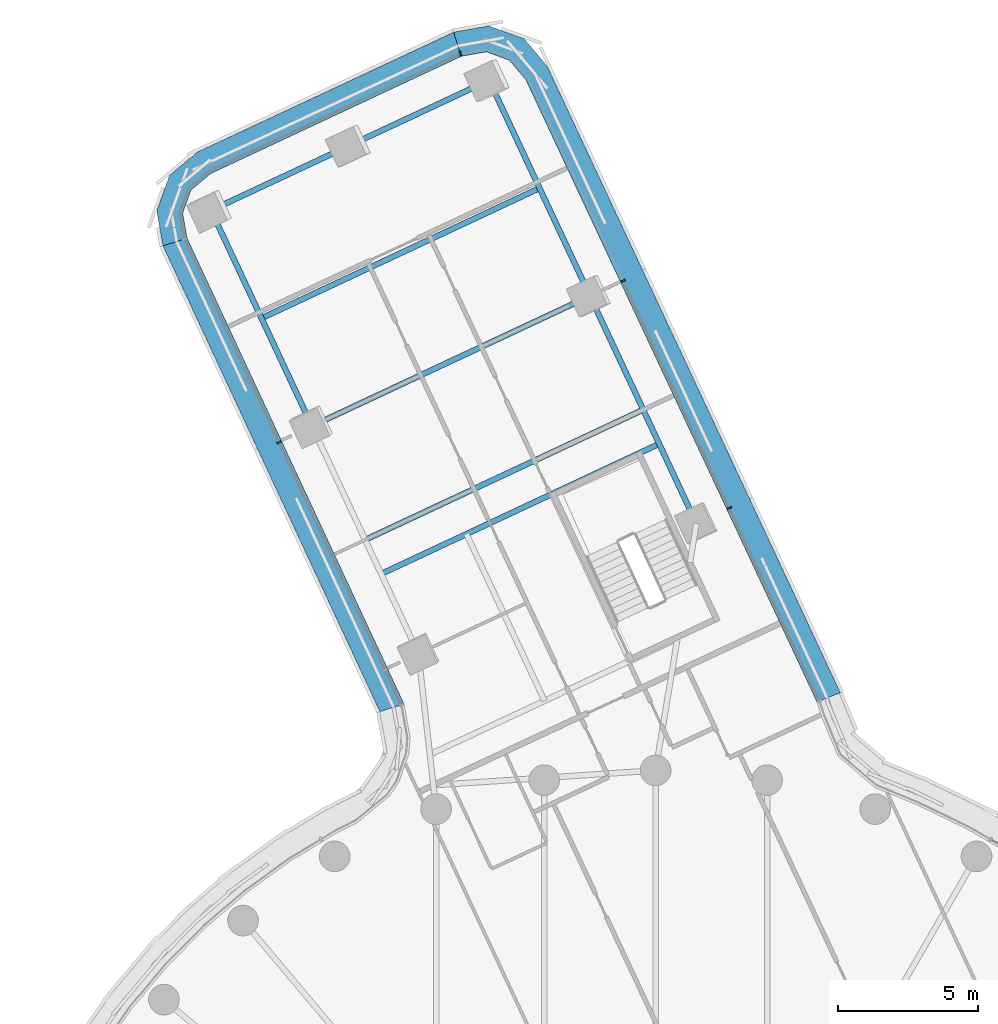
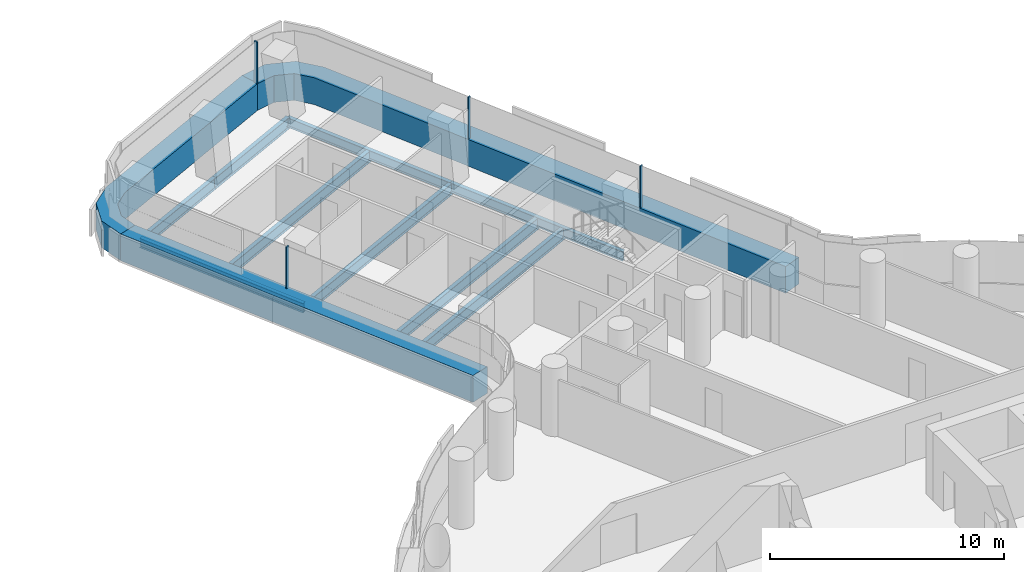
# One storey, part 17 of 36: 9 beams, 7 members, 3 elements without a shape of their own.
"""IFC4 building model written with IfcOpenShell, lengths in metres."""

import ifcopenshell
import ifcopenshell.guid

model = None  # the IFC model being written
_history = None  # IfcOwnerHistory: only IFC2X3 demands one
_inside = {}  # id of a spatial element -> (the spatial element, [elements in it])
_under = {}  # id of a project, library or spatial element -> (it, [spatial elements below it])
_declared = {}  # id of a project -> (the project, [libraries it declares])
_typed = {}  # id of a type object -> (the type object, [elements of that type])
_made_of = {}  # id of a material, layer set ... -> (it, [elements and type objects made of it])


def new_model(schema):
    """Start an empty IFC model of exactly this schema.

    Asked for "IFC4X3", IfcOpenShell would pick the latest addendum, in which some entities
    have other attributes; the version numbers below select the first issue.
    IFC2X3 requires an IfcOwnerHistory on every rooted entity: one is made here for all.
    """
    global model, _history
    if schema == "IFC4X3":
        model = ifcopenshell.file(schema_version=(4, 3, 0, 0))
    else:
        model = ifcopenshell.file(schema=schema)
    _inside.clear()
    _under.clear()
    _declared.clear()
    _typed.clear()
    _made_of.clear()
    _history = None
    if model.schema == "IFC2X3":
        org = make("IfcOrganization", Name="unknown")
        user = make(
            "IfcPersonAndOrganization",
            ThePerson=make("IfcPerson", FamilyName="unknown"),
            TheOrganization=org,
        )
        app = make(
            "IfcApplication",
            ApplicationDeveloper=org,
            Version="unknown",
            ApplicationFullName="unknown",
            ApplicationIdentifier="unknown",
        )
        _history = make(
            "IfcOwnerHistory",
            OwningUser=user,
            OwningApplication=app,
            ChangeAction="ADDED",
            CreationDate=0,
        )
    return model


def make(cls, **values):
    """One entity of the class cls with the attributes given. An attribute that is None is left unset."""
    return model.create_entity(
        cls, **{name: value for name, value in values.items() if value is not None}
    )


def rooted(cls, **values):
    """An entity with a GlobalId (a new one), such as an element, a storey or a relation."""
    return make(cls, GlobalId=ifcopenshell.guid.new(), OwnerHistory=_history, **values)


def si_unit(unit_type, name, prefix=None):
    """IfcSIUnit, for example si_unit("LENGTHUNIT", "METRE", prefix="MILLI")."""
    return make("IfcSIUnit", UnitType=unit_type, Prefix=prefix, Name=name)


def assignment(units):
    """IfcUnitAssignment: the units of a project."""
    return None if units is None else make("IfcUnitAssignment", Units=units)


def point(xyz):
    """IfcCartesianPoint."""
    return None if xyz is None else make("IfcCartesianPoint", Coordinates=xyz)


def direction(xyz):
    """IfcDirection."""
    return None if xyz is None else make("IfcDirection", DirectionRatios=xyz)


def frame(location, z_axis=None, x_axis=None):
    """IfcAxis2Placement3D, a coordinate frame: its origin and axes. An axis left out is left unset."""
    return make(
        "IfcAxis2Placement3D",
        Location=point(location),
        Axis=direction(z_axis),
        RefDirection=direction(x_axis),
    )


def frame_2d(location, x_axis=None):
    """IfcAxis2Placement2D, a coordinate frame in the plane: its origin and x axis."""
    return make(
        "IfcAxis2Placement2D", Location=point(location), RefDirection=direction(x_axis)
    )


def origin():
    """The frame at (0, 0, 0) with its axes left unset."""
    return frame((0.0, 0.0, 0.0))


def origin_2d():
    """The frame at (0, 0) in the plane with its x axis left unset."""
    return frame_2d((0.0, 0.0))


def place(relative_to, where):
    """IfcLocalPlacement: puts the frame where relative to a parent placement (None: the world)."""
    return make(
        "IfcLocalPlacement", PlacementRelTo=relative_to, RelativePlacement=where
    )


def context(
    kind, dimensions, precision=None, world=None, true_north=None, identifier=None
):
    """IfcGeometricRepresentationContext, for example the 3D "Model" context."""
    return make(
        "IfcGeometricRepresentationContext",
        ContextIdentifier=identifier,
        ContextType=kind,
        CoordinateSpaceDimension=dimensions,
        Precision=precision,
        WorldCoordinateSystem=world,
        TrueNorth=true_north,
    )


def subcontext(parent, identifier, kind, view, scale=None):
    """IfcGeometricRepresentationSubContext, for example "Body" below "Model"."""
    return make(
        "IfcGeometricRepresentationSubContext",
        ContextIdentifier=identifier,
        ContextType=kind,
        ParentContext=parent,
        TargetScale=scale,
        TargetView=view,
    )


def project(units=None, contexts=None):
    """IfcProject with its units and contexts."""
    return rooted(
        "IfcProject",
        Name="project",
        RepresentationContexts=contexts,
        UnitsInContext=assignment(units),
    )


def spatial(cls, under=None, at=None, **own):
    """A site, building, storey or space (cls), placed at a placement, below another one or the project."""
    s = rooted(cls, ObjectPlacement=at, **own)
    if under is not None:
        _under.setdefault(under.id(), (under, []))[1].append(s)
    return s


def polyline(points):
    """IfcPolyline through the points."""
    return make("IfcPolyline", Points=[point(p) for p in points])


def profile(cls, at=None, kind="AREA", **sizes):
    """A parametric profile (cls). Its sizes go by their IFC names, for example OverallWidth=200.0."""
    return make(cls, ProfileType=kind, Position=at, **sizes)


def rectangle(**sizes):
    """IfcRectangleProfileDef."""
    return profile("IfcRectangleProfileDef", **sizes)


def i_section(**sizes):
    """IfcIShapeProfileDef."""
    return profile("IfcIShapeProfileDef", **sizes)


def outline(outer, holes=None, kind="AREA"):
    """IfcArbitraryClosedProfileDef: a profile drawn as a closed curve; with holes, ...WithVoids."""
    if holes is None:
        return make("IfcArbitraryClosedProfileDef", ProfileType=kind, OuterCurve=outer)
    return make(
        "IfcArbitraryProfileDefWithVoids",
        ProfileType=kind,
        OuterCurve=outer,
        InnerCurves=holes,
    )


def extrude(swept, where, along, depth):
    """IfcExtrudedAreaSolid: the profile swept, set in the frame where, extruded along a direction by depth."""
    return make(
        "IfcExtrudedAreaSolid",
        SweptArea=swept,
        Position=where,
        ExtrudedDirection=direction(along),
        Depth=depth,
    )


def shape(context_of_items, identifier, shape_type, items):
    """IfcShapeRepresentation: the items that make up one representation, for example the "Body"."""
    return make(
        "IfcShapeRepresentation",
        ContextOfItems=context_of_items,
        RepresentationIdentifier=identifier,
        RepresentationType=shape_type,
        Items=items,
    )


def material(Name=None, Category=None):
    """IfcMaterial."""
    return make("IfcMaterial", Name=Name, Category=Category)


def layer(
    of_material, thickness, ventilated=None, Name=None, Category=None, Priority=None
):
    """IfcMaterialLayer: one layer of a wall or slab, of a material (None: an air gap)."""
    return make(
        "IfcMaterialLayer",
        Material=of_material,
        LayerThickness=thickness,
        IsVentilated=ventilated,
        Name=Name,
        Category=Category,
        Priority=Priority,
    )


def layer_set(layers, Name=None):
    """IfcMaterialLayerSet."""
    return make("IfcMaterialLayerSet", MaterialLayers=layers, LayerSetName=Name)


def material_profile(
    of_material, cross_section, Name=None, Category=None, Priority=None
):
    """IfcMaterialProfile: a cross section and its material."""
    return make(
        "IfcMaterialProfile",
        Name=Name,
        Material=of_material,
        Profile=cross_section,
        Priority=Priority,
        Category=Category,
    )


def profile_set(profiles, Name=None, composite=None):
    """IfcMaterialProfileSet."""
    return make(
        "IfcMaterialProfileSet",
        Name=Name,
        MaterialProfiles=profiles,
        CompositeProfile=composite,
    )


def made_of(thing, what):
    """Note that an element or type object is made of a material, layer set ...; save() writes the relation."""
    if what is not None:
        _made_of.setdefault(what.id(), (what, []))[1].append(thing)
    return thing


def type_object(cls, material=None, **own):
    """A type object (cls), such as IfcWallType, which elements share."""
    return made_of(rooted(cls, **own), material)


def element(
    cls,
    number,
    at=None,
    inside=None,
    cuts=None,
    type_object=None,
    material=None,
    context=None,
    identifier="Body",
    shape_type=None,
    held_by="IfcProductDefinitionShape",
    body=None,
    shapes=None,
    **own,
):
    """One element of the class cls, such as IfcWall. Its Tag is "e" and its number.

    at: its placement. inside: the storey or other place that contains it. cuts: it is an
    opening in that element (IfcRelVoidsElement). A single representation is given by context,
    identifier, shape_type and body (its items); several are given by shapes. held_by: the class
    of the entity that holds the representations. save() writes the other relations.
    """
    e = rooted(cls, Tag="e%d" % number, ObjectPlacement=at, **own)
    if body is not None:
        shapes = [shape(context, identifier, shape_type, body)]
    if shapes is not None:
        e.Representation = make(held_by, Representations=shapes)
    if inside is not None:
        _inside.setdefault(inside.id(), (inside, []))[1].append(e)
    if cuts is not None:
        rooted(
            "IfcRelVoidsElement", RelatingBuildingElement=cuts, RelatedOpeningElement=e
        )
    if type_object is not None:
        _typed.setdefault(type_object.id(), (type_object, []))[1].append(e)
    return made_of(e, material)


def aggregate(whole, parts):
    """IfcRelAggregates: a whole, such as a stair, and the parts it consists of."""
    return rooted("IfcRelAggregates", RelatingObject=whole, RelatedObjects=parts)


def save(model, path):
    """Write the relations noted so far, then the file.

    IfcRelAggregates (storeys below a building ...), IfcRelContainedInSpatialStructure (elements
    in a storey), IfcRelDefinesByType, IfcRelAssociatesMaterial and IfcRelDeclares: one each for
    every whole, place, type object, material and project.
    """
    for whole, parts in _under.values():
        aggregate(whole, parts)
    for where, things in _inside.values():
        rooted(
            "IfcRelContainedInSpatialStructure",
            RelatedElements=things,
            RelatingStructure=where,
        )
    for kind, things in _typed.values():
        rooted("IfcRelDefinesByType", RelatedObjects=things, RelatingType=kind)
    for what, things in _made_of.values():
        rooted("IfcRelAssociatesMaterial", RelatedObjects=things, RelatingMaterial=what)
    for by, libraries in _declared.values():
        rooted("IfcRelDeclares", RelatingContext=by, RelatedDefinitions=libraries)
    model.write(path)


model = new_model("IFC4")

# Units and contexts
model_context = context("Model", 3, precision=1e-05, world=origin(), true_north=direction((0.0, 1.0)))
body_context = subcontext(model_context, "Body", "Model", "MODEL_VIEW")
ifc_project = project(units=[si_unit("LENGTHUNIT", "METRE"), si_unit("AREAUNIT", "SQUARE_METRE"), si_unit("VOLUMEUNIT", "CUBIC_METRE"), si_unit("PLANEANGLEUNIT", "RADIAN"), si_unit("MASSUNIT", "GRAM", prefix="KILO")], contexts=[model_context])

# Site, building, storey
site_placement = place(None, origin())
site = spatial("IfcSite", under=ifc_project, at=site_placement, CompositionType="ELEMENT")
building_placement = place(site_placement, origin())
building = spatial("IfcBuilding", under=site, at=building_placement, Name="Tamarind Cross Interchange Tower", CompositionType="ELEMENT")
storey_placement = place(building_placement, frame((0.0, 0.0, 124.75)))
storey = spatial("IfcBuildingStorey", under=building, at=storey_placement, Name="L30", CompositionType="ELEMENT", Elevation=124.75)

# Beams
ifc_material_1 = material(Name="Steel Q355B", Category="steel")
ifc_material_profile_1 = material_profile(ifc_material_1, i_section(OverallWidth=0.198974609375, OverallDepth=0.49609375, WebThickness=0.009033203125, FlangeThickness=0.013916015625, FilletRadius=0.012939453125, at=origin_2d()), Name="HN 496x199x9x14")
ifc_profile_set_1 = profile_set([ifc_material_profile_1], Name="Steel Q355B")
beam_type_1 = type_object("IfcBeamType", Name="Composite beam HN 496x199x9x14 Q355B", PredefinedType="BEAM", material=ifc_profile_set_1)
beam_1_placement = place(storey_placement, frame((-5.966796875, 47.72998046875, -0.387939453125), z_axis=(0.423785815014, -0.905762431873, 0.0), x_axis=(0.905762431873, 0.423785815014, 0.0)))
element("IfcBeam", 1, at=beam_1_placement, inside=storey, type_object=beam_type_1, Name="Beam N-edgeem5", PredefinedType="BEAM", context=body_context, shape_type="SweptSolid", body=[
    extrude(i_section(OverallWidth=0.198974609375, OverallDepth=0.49609375, WebThickness=0.009033203125, FlangeThickness=0.013916015625, FilletRadius=0.012939453125, at=origin_2d()), origin(), (0.0, 0.0, 1.0), 8.53369140625),
])
beam_2_placement = place(storey_placement, frame((-2.350341796875, 40.00048828125, -0.387939453125), z_axis=(0.423820799174, -0.90574606275, 0.0), x_axis=(0.90574606275, 0.423820799174, 0.0)))
element("IfcBeam", 2, at=beam_2_placement, inside=storey, type_object=beam_type_1, Name="Beam N-edgeem6", PredefinedType="BEAM", context=body_context, shape_type="SweptSolid", body=[
    extrude(i_section(OverallWidth=0.198974609375, OverallDepth=0.49609375, WebThickness=0.009033203125, FlangeThickness=0.013916015625, FilletRadius=0.012939453125, at=origin_2d()), origin(), (0.0, 0.0, 1.0), 9.000244140625),
])
beam_3_placement = place(storey_placement, frame((-15.93017578125, 43.068115234375, -0.387939453125), z_axis=(0.423809285609, -0.90575145014, 0.0), x_axis=(0.90575145014, 0.423809285609, 0.0)))
element("IfcBeam", 3, at=beam_3_placement, inside=storey, type_object=beam_type_1, Name="Beam N-edgeep2", PredefinedType="BEAM", context=body_context, shape_type="SweptSolid", body=[
    extrude(i_section(OverallWidth=0.198974609375, OverallDepth=0.49609375, WebThickness=0.009033203125, FlangeThickness=0.013916015625, FilletRadius=0.012939453125, at=origin_2d()), origin(), (0.0, 0.0, 1.0), 8.53369140625),
])
ifc_material_profile_2 = material_profile(ifc_material_1, i_section(OverallWidth=0.199951171875, OverallDepth=0.60009765625, WebThickness=0.010986328125, FlangeThickness=0.01708984375, FilletRadius=0.012939453125, at=origin_2d()), Name="HN 600x200x11x17")
ifc_profile_set_2 = profile_set([ifc_material_profile_2], Name="Steel Q355B")
beam_type_2 = type_object("IfcBeamType", Name="Composite beam HN 600x200x11x17 Q355B", PredefinedType="BEAM", material=ifc_profile_set_2)
for number, where, z_axis, x_axis, name in (
    (4, (-5.966796875, 47.72998046875, -0.43994140625), (-0.90574606275, -0.423820799174, 0.0), (0.423820799174, -0.90574606275, 0.0), "Beam N-tip0"),
    (5, (-10.948486328125, 45.39892578125, -0.43994140625), (-0.905763101907, -0.423784382941, 0.0), (0.423784382941, -0.905763101907, 0.0), "Beam N-tip1"),
):
    element("IfcBeam", number, at=place(storey_placement, frame(where, z_axis=z_axis, x_axis=x_axis)), inside=storey, type_object=beam_type_2, Name=name, PredefinedType="BEAM", context=body_context, shape_type="SweptSolid", body=[
        extrude(i_section(OverallWidth=0.199951171875, OverallDepth=0.60009765625, WebThickness=0.010986328125, FlangeThickness=0.01708984375, FilletRadius=0.012939453125, at=origin_2d()), origin(), (0.0, 0.0, 1.0), 5.5),
    ])
beam_4_placement = place(storey_placement, frame((0.129150390625, 34.701904296875, -0.43994140625), z_axis=(-0.905754582431, -0.423802591314, 0.0), x_axis=(0.423802591314, -0.905754582431, 0.0)))
element("IfcBeam", 6, at=beam_4_placement, inside=storey, type_object=beam_type_2, Name="Beam N-x334", PredefinedType="BEAM", context=body_context, shape_type="SweptSolid", body=[
    extrude(i_section(OverallWidth=0.199951171875, OverallDepth=0.60009765625, WebThickness=0.010986328125, FlangeThickness=0.01708984375, FilletRadius=0.012939453125, at=origin_2d()), origin(), (0.0, 0.0, 1.0), 11.0),
])
beam_5_placement = place(storey_placement, frame((-2.350341796875, 40.00048828125, -0.43994140625), z_axis=(-0.905750596, -0.423811111045, 0.0), x_axis=(0.423811111045, -0.905750596, 0.0)))
element("IfcBeam", 7, at=beam_5_placement, inside=storey, type_object=beam_type_2, Name="Beam N-x393", PredefinedType="BEAM", context=body_context, shape_type="SweptSolid", body=[
    extrude(i_section(OverallWidth=0.199951171875, OverallDepth=0.60009765625, WebThickness=0.010986328125, FlangeThickness=0.01708984375, FilletRadius=0.012939453125, at=origin_2d()), origin(), (0.0, 0.0, 1.0), 10.999755859375),
])
for number, where, z_axis, x_axis, name in (
    (8, (-0.443115234375, 35.924560546875, -0.43994140625), (-0.905754582431, -0.423802591314, 0.0), (0.423802591314, -0.905754582431, 0.0), "Beam N-x348"),
    (9, (-4.158447265625, 43.865234375, -0.43994140625), (-0.905754582431, -0.423802591314, 0.0), (0.423802591314, -0.905754582431, 0.0), "Beam N-x436"),
):
    element("IfcBeam", number, at=place(storey_placement, frame(where, z_axis=z_axis, x_axis=x_axis)), inside=storey, type_object=beam_type_2, Name=name, PredefinedType="BEAM", context=body_context, shape_type="SweptSolid", body=[
        extrude(i_section(OverallWidth=0.199951171875, OverallDepth=0.60009765625, WebThickness=0.010986328125, FlangeThickness=0.01708984375, FilletRadius=0.012939453125, at=origin_2d()), origin(), (0.0, 0.0, 1.0), 11.0),
    ])

# Curtain wall, member
ifc_material_2 = material(Name="Aluminium 6063-T6", Category="aluminium")
ifc_layer = layer(ifc_material_2, 0.159912109375)
ifc_layer_set = layer_set([ifc_layer], Name="Aluminium 6063-T6")
curtain_wall_type = type_object("IfcCurtainWallType", Name="Office curtain wall, 9.0 m bays", PredefinedType="NOTDEFINED", material=ifc_layer_set)
curtain_wall_1_placement = place(storey_placement, origin())
curtain_wall_1 = element("IfcCurtainWall", 10, at=curtain_wall_1_placement, inside=storey, type_object=curtain_wall_type, Name="CWS-L30-11", PredefinedType="NOTDEFINED")
ifc_material_3 = material(Name="Aluminium and insulated spandrel panel", Category="aluminium")
member_type_1 = type_object("IfcMemberType", Name="Floor-edge blade transom", PredefinedType="USERDEFINED", material=ifc_material_3)
member_1_placement = place(storey_placement, origin())
member_1 = element("IfcMember", 11, at=member_1_placement, type_object=member_type_1, Name="CWT-L30-11", ObjectType="TRANSOM", PredefinedType="USERDEFINED", context=body_context, shape_type="SweptSolid", body=[
    extrude(outline(polyline([(5.78125, 25.45361328125), (-4.6513671875, 47.749755859375), (-5.24072265625, 48.4501953125), (-6.062744140625, 48.748291015625), (-6.964111328125, 48.588134765625), (-7.23828125, 49.45361328125), (-5.98291015625, 49.676513671875), (-4.707275390625, 49.214111328125), (-3.886474609375, 48.238525390625), (6.621337890625, 25.781494140625), (5.78125, 25.45361328125)])), origin(), (0.0, 0.0, 1.0), 1.39990234375),
])

curtain_wall_2_placement = place(storey_placement, origin())
curtain_wall_2 = element("IfcCurtainWall", 12, at=curtain_wall_2_placement, inside=storey, type_object=curtain_wall_type, Name="CWS-L30-12", PredefinedType="NOTDEFINED")
member_2_placement = place(storey_placement, origin())
member_2 = element("IfcMember", 13, at=member_2_placement, type_object=member_type_1, Name="CWT-L30-12", ObjectType="TRANSOM", PredefinedType="USERDEFINED", context=body_context, shape_type="SweptSolid", body=[
    extrude(outline(polyline([(-6.964111328125, 48.588134765625), (-15.9501953125, 44.383544921875), (-16.650634765625, 43.794189453125), (-16.948486328125, 42.97216796875), (-16.788330078125, 42.070556640625), (-17.65380859375, 41.79736328125), (-17.876953125, 43.052001953125), (-17.41455078125, 44.32763671875), (-16.438720703125, 45.1484375), (-7.23828125, 49.45361328125), (-6.964111328125, 48.588134765625)])), origin(), (0.0, 0.0, 1.0), 1.39990234375),
])

curtain_wall_3_placement = place(storey_placement, origin())
curtain_wall_3 = element("IfcCurtainWall", 14, at=curtain_wall_3_placement, inside=storey, type_object=curtain_wall_type, Name="CWS-L30-13", PredefinedType="NOTDEFINED")
member_3_placement = place(storey_placement, origin())
member_3 = element("IfcMember", 15, at=member_3_placement, type_object=member_type_1, Name="CWT-L30-13", ObjectType="TRANSOM", PredefinedType="USERDEFINED", context=body_context, shape_type="SweptSolid", body=[
    extrude(outline(polyline([(-16.788330078125, 42.070556640625), (-9.0146484375, 25.378662109375), (-9.879638671875, 25.10400390625), (-17.65380859375, 41.79736328125), (-16.788330078125, 42.070556640625)])), origin(), (0.0, 0.0, 1.0), 1.39990234375),
])

# Member
ifc_material_profile_3 = material_profile(ifc_material_2, rectangle(XDim=0.06005859375, YDim=0.159912109375, at=origin_2d()), Name="Mullion CW1")
ifc_profile_set_3 = profile_set([ifc_material_profile_3], Name="Aluminium 6063-T6")
member_type_2 = type_object("IfcMemberType", Name="Mullion CW1", PredefinedType="MULLION", material=ifc_profile_set_3)
member_4_placement = place(storey_placement, frame((2.64111328125, 32.400390625, 1.39990234375), z_axis=(0.0, 0.0, 1.0), x_axis=(-0.423807415123, 0.905752325355, 0.0)))
member_4 = element("IfcMember", 16, at=member_4_placement, type_object=member_type_2, Name="CWM-L30-11-01", PredefinedType="MULLION", context=body_context, shape_type="SweptSolid", body=[
    extrude(rectangle(XDim=0.06005859375, YDim=0.159912109375, at=origin_2d()), origin(), (0.0, 0.0, 1.0), 2.170166015625),
])

member_5_placement = place(storey_placement, frame((-1.1669921875, 40.539306640625, 1.39990234375), z_axis=(0.0, 0.0, 1.0), x_axis=(-0.423807415123, 0.905752325355, 0.0)))
member_5 = element("IfcMember", 17, at=member_5_placement, type_object=member_type_2, Name="CWM-L30-11-02", PredefinedType="MULLION", context=body_context, shape_type="SweptSolid", body=[
    extrude(rectangle(XDim=0.06005859375, YDim=0.159912109375, at=origin_2d()), origin(), (0.0, 0.0, 1.0), 2.170166015625),
])

aggregate(curtain_wall_1, [member_4, member_5, member_1])

member_6_placement = place(storey_placement, frame((-6.99462890625, 48.684326171875, 1.39990234375), z_axis=(0.0, 0.0, 1.0), x_axis=(-0.953321456782, -0.301957281813, 0.0)))
member_6 = element("IfcMember", 18, at=member_6_placement, type_object=member_type_2, Name="CWM-L30-12-00", PredefinedType="MULLION", context=body_context, shape_type="SweptSolid", body=[
    extrude(rectangle(XDim=0.06005859375, YDim=0.159912109375, at=origin_2d()), origin(), (0.0, 0.0, 1.0), 2.170166015625),
])

aggregate(curtain_wall_2, [member_6, member_2])

member_7_placement = place(storey_placement, frame((-13.492919921875, 34.757568359375, 1.39990234375), z_axis=(0.0, 0.0, 1.0), x_axis=(0.422173554282, -0.906515024732, 0.0)))
member_7 = element("IfcMember", 19, at=member_7_placement, type_object=member_type_2, Name="CWM-L30-13-01", PredefinedType="MULLION", context=body_context, shape_type="SweptSolid", body=[
    extrude(rectangle(XDim=0.06005859375, YDim=0.159912109375, at=origin_2d()), origin(), (0.0, 0.0, 1.0), 2.170166015625),
])

aggregate(curtain_wall_3, [member_7, member_3])

save(model, "model.ifc")
